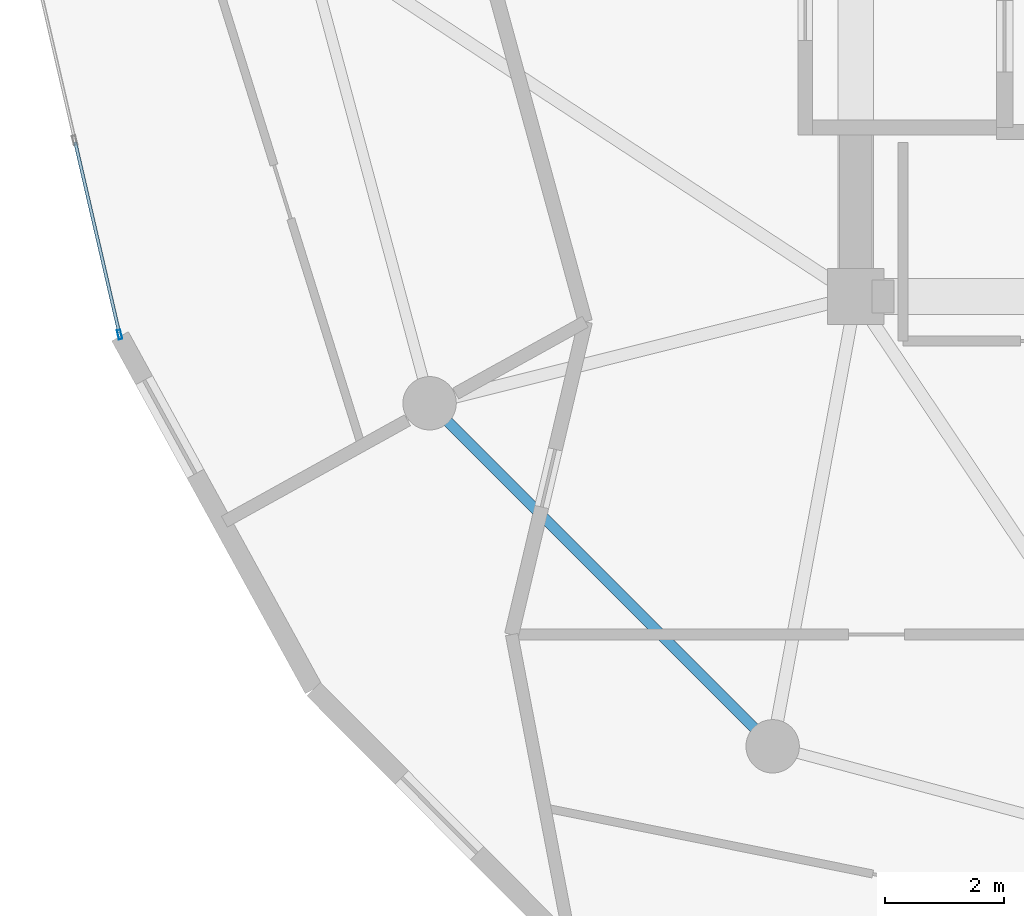
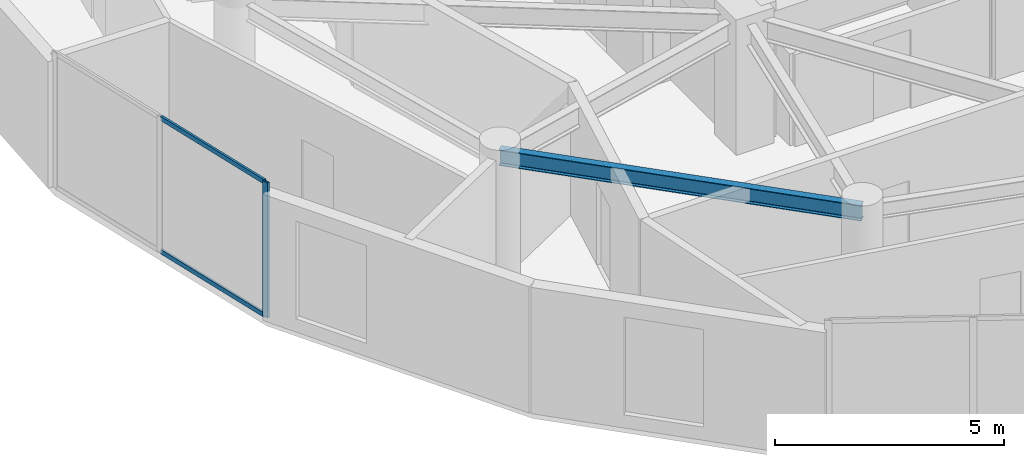
# One storey, part 3 of 21: 3 members, 1 beam, 1 element without a shape of its own.
"""IFC4 building model written with IfcOpenShell, lengths in metres."""

from ifc_helpers import new_model, si_unit, direction, frame, origin, origin_2d, place, context, subcontext, project, spatial, hollow_rectangle, i_section, extrude, source, transform, mapped, material, layer, layer_set, material_profile, profile_set, type_object, element, aggregate, save


model = new_model("IFC4")

# Units and contexts
model_context = context("Model", 3, precision=1e-05, world=origin(), true_north=direction((0.0, 1.0)))
body_context = subcontext(model_context, "Body", "Model", "MODEL_VIEW")
ifc_project = project(units=[si_unit("LENGTHUNIT", "METRE"), si_unit("AREAUNIT", "SQUARE_METRE"), si_unit("VOLUMEUNIT", "CUBIC_METRE"), si_unit("PLANEANGLEUNIT", "RADIAN"), si_unit("MASSUNIT", "GRAM", prefix="KILO")], contexts=[model_context])

# Site, building, storey
site_placement = place(None, origin())
site = spatial("IfcSite", under=ifc_project, at=site_placement, CompositionType="ELEMENT")
building_placement = place(site_placement, origin())
building = spatial("IfcBuilding", under=site, at=building_placement, Name="Solvirekh Grand Hotel", CompositionType="ELEMENT")
storey_placement = place(building_placement, frame((0.0, 0.0, 216.39990234375)))
storey = spatial("IfcBuildingStorey", under=building, at=storey_placement, Name="L56", CompositionType="ELEMENT", Elevation=216.39990234375)

# Beam
ifc_material_1 = material(Name="Steel S355", Category="steel")
ifc_material_profile_1 = material_profile(ifc_material_1, i_section(OverallWidth=0.180908203125, OverallDepth=0.4169921875, WebThickness=0.010009765625, FlangeThickness=0.01611328125, FilletRadius=0.011962890625, at=origin_2d()), Name="W410X85")
ifc_profile_set_1 = profile_set([ifc_material_profile_1], Name="Steel S355")
beam_type = type_object("IfcBeamType", Name="Spandrel_Ring_W410", PredefinedType="SPANDREL", material=ifc_profile_set_1)
beam_placement = place(storey_placement, frame((-13.68310546875, -7.89990234375, 3.152099609375), z_axis=(0.707106781187, -0.707106781187, 0.0), x_axis=(0.707106781187, 0.707106781187, 0.0)))
element("IfcBeam", 1, at=beam_placement, inside=storey, type_object=beam_type, Name="L56 perimeter spandrel beam 8", PredefinedType="SPANDREL", context=body_context, shape_type="SweptSolid", body=[
    extrude(i_section(OverallWidth=0.180908203125, OverallDepth=0.4169921875, WebThickness=0.010009765625, FlangeThickness=0.01611328125, FilletRadius=0.011962890625, at=origin_2d()), origin(), (0.0, 0.0, 1.0), 8.1787109375),
])

# Curtain wall, members
ifc_material_2 = material(Name="Anodized Bronze Aluminium 6063-T6", Category="aluminium")
ifc_layer = layer(ifc_material_2, 0.159912109375)
ifc_layer_set = layer_set([ifc_layer], Name="Anodized Bronze Aluminium 6063-T6")
curtain_wall_type = type_object("IfcCurtainWallType", Name="CW_Sys4_HighZoneFlushBronzeCW", PredefinedType="NOTDEFINED", material=ifc_layer_set)
curtain_wall_placement = place(storey_placement, origin())
curtain_wall = element("IfcCurtainWall", 2, at=curtain_wall_placement, inside=storey, type_object=curtain_wall_type, Name="L56 unitised bronze-glass curtain wall CW-L56-C15", PredefinedType="NOTDEFINED")
ifc_material_profile_2 = material_profile(ifc_material_2, hollow_rectangle(XDim=0.06005859375, YDim=0.159912109375, WallThickness=0.0048828125, at=origin_2d()), Name="ALU RHS 160X60X5")
ifc_profile_set_2 = profile_set([ifc_material_profile_2], Name="Anodized Bronze Aluminium 6063-T6")
member_type_1 = type_object("IfcMemberType", Name="CWMullion_Sys4", PredefinedType="MULLION", material=ifc_profile_set_2)
shared_shape_1 = source(origin(), body_context, "Body", "SweptSolid", [
    extrude(hollow_rectangle(XDim=0.06005859375, YDim=0.159912109375, WallThickness=0.0048828125, at=origin_2d()), origin(), (0.0, 0.0, 1.0), 3.60009765625),
])
member_1_placement = place(storey_placement, frame((-18.90869140625, -6.74267578125, 0.0), z_axis=(0.0, 0.0, 1.0), x_axis=(0.974346464853, 0.22505325243, 0.0)))
member_1 = element("IfcMember", 3, at=member_1_placement, type_object=member_type_1, Name="U04 mullion 3", PredefinedType="MULLION", context=body_context, shape_type="MappedRepresentation", body=[
    mapped(shared_shape_1, transform((0.0, 0.0, 0.0), x_axis=(1.0, 0.0, 0.0), y_axis=(0.0, 1.0, 0.0), z_axis=(0.0, 0.0, 1.0), scale=1.0)),
])
ifc_material_profile_3 = material_profile(ifc_material_2, hollow_rectangle(XDim=0.054931640625, YDim=0.1201171875, WallThickness=0.00390625, at=origin_2d()), Name="ALU RHS 120X55X4")
ifc_profile_set_3 = profile_set([ifc_material_profile_3], Name="Anodized Bronze Aluminium 6063-T6")
member_type_2 = type_object("IfcMemberType", Name="CWTransom_Sys4", PredefinedType="USERDEFINED", material=ifc_profile_set_3)
shared_shape_2 = source(origin(), body_context, "Body", "SweptSolid", [
    extrude(hollow_rectangle(XDim=0.054931640625, YDim=0.1201171875, WallThickness=0.00390625, at=origin_2d()), origin(), (0.0, 0.0, 1.0), 3.302490234375),
])
member_2_placement = place(storey_placement, frame((-19.65869140625, -3.495849609375, 0.027587890625), z_axis=(0.225032275216, -0.974351309904, 0.0), x_axis=(0.974351309904, 0.225032275216, 0.0)))
member_2 = element("IfcMember", 4, at=member_2_placement, type_object=member_type_2, Name="U04 transom 2.1", ObjectType="TRANSOM", PredefinedType="USERDEFINED", context=body_context, shape_type="MappedRepresentation", body=[
    mapped(shared_shape_2, transform((0.0, 0.0, 0.0), x_axis=(1.0, 0.0, 0.0), y_axis=(0.0, 1.0, 0.0), z_axis=(0.0, 0.0, 1.0), scale=1.0)),
])
member_3_placement = place(storey_placement, frame((-19.65869140625, -3.495849609375, 3.572509765625), z_axis=(0.225032275216, -0.974351309904, 0.0), x_axis=(0.974351309904, 0.225032275216, 0.0)))
member_3 = element("IfcMember", 5, at=member_3_placement, type_object=member_type_2, Name="U04 transom 2.2", ObjectType="TRANSOM", PredefinedType="USERDEFINED", context=body_context, shape_type="MappedRepresentation", body=[
    mapped(shared_shape_2, transform((0.0, 0.0, 0.0), x_axis=(1.0, 0.0, 0.0), y_axis=(0.0, 1.0, 0.0), z_axis=(0.0, 0.0, 1.0), scale=1.0)),
])
aggregate(curtain_wall, [member_1, member_2, member_3])

save(model, "model.ifc")
